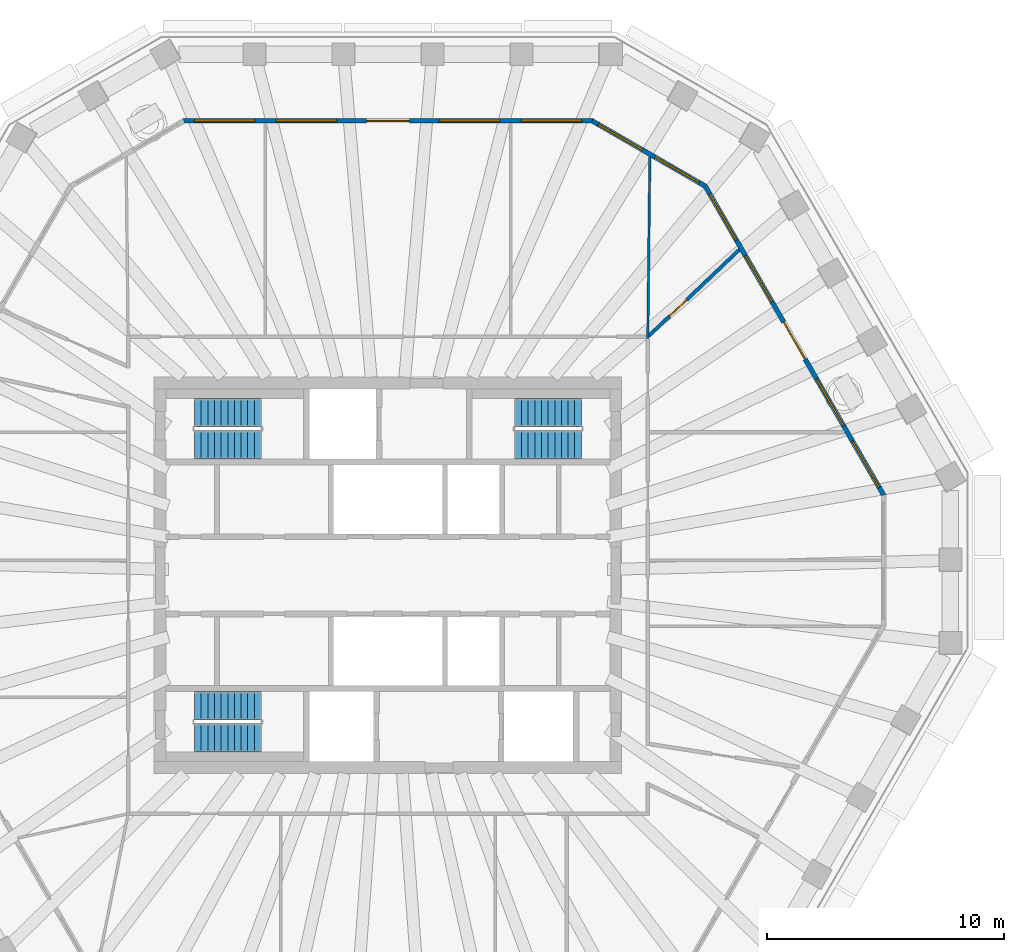
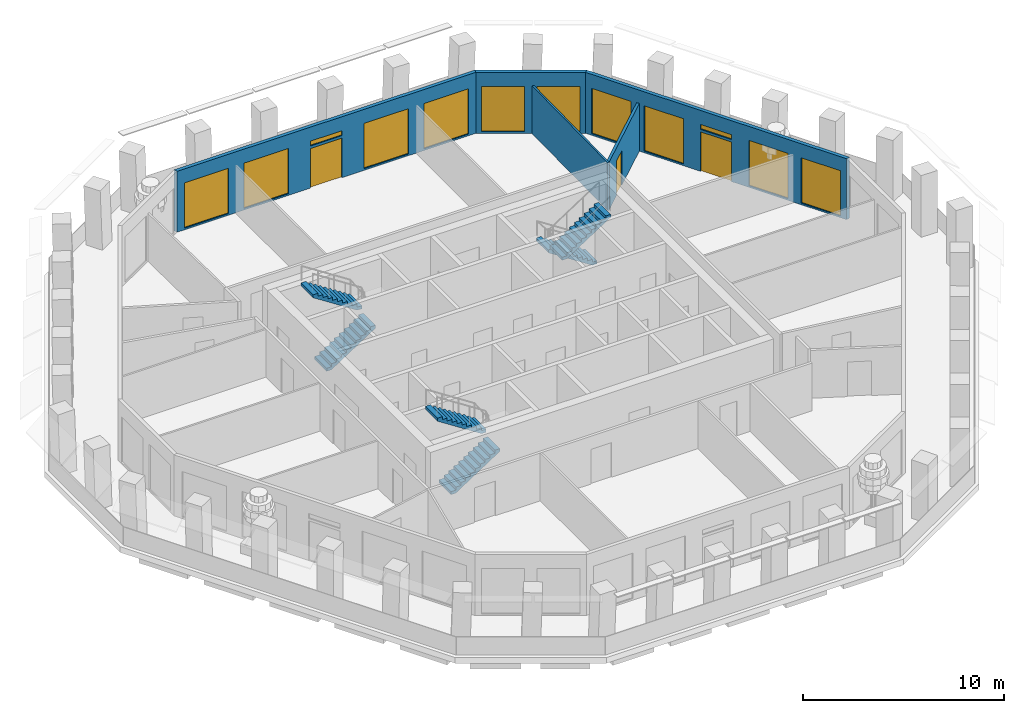
# One storey, part 7 of 11: 12 windows, 6 stair flights, 5 walls, 3 doors, 15 openings, 3 elements without a shape of their own.
"""IFC4 building model written with IfcOpenShell, lengths in metres."""

from ifc_helpers import new_model, si_unit, direction, frame, frame_2d, origin, place, context, subcontext, project, spatial, polyline, rectangle, outline, extrude, material, layer, layer_set, type_object, element, fill, aggregate, save


model = new_model("IFC4")

# Units and contexts
model_context = context("Model", 3, precision=1e-05, world=origin(), true_north=direction((0.0, 1.0)))
body_context = subcontext(model_context, "Body", "Model", "MODEL_VIEW")
ifc_project = project(units=[si_unit("LENGTHUNIT", "METRE"), si_unit("AREAUNIT", "SQUARE_METRE"), si_unit("VOLUMEUNIT", "CUBIC_METRE"), si_unit("PLANEANGLEUNIT", "RADIAN"), si_unit("MASSUNIT", "GRAM", prefix="KILO")], contexts=[model_context])

# Site, building, storey
site_placement = place(None, origin())
site = spatial("IfcSite", under=ifc_project, at=site_placement, CompositionType="ELEMENT")
building_placement = place(site_placement, origin())
building = spatial("IfcBuilding", under=site, at=building_placement, Name="Frailejon Research Tower", CompositionType="ELEMENT")
storey_placement = place(building_placement, frame((0.0, 0.0, 283.0)))
storey = spatial("IfcBuildingStorey", under=building, at=storey_placement, Name="L62", CompositionType="ELEMENT", Elevation=283.0)

# Wall, opening, door
ifc_material_1 = material(Name="Gypsum board and masonry partition", Category="masonry")
ifc_layer_1 = layer(ifc_material_1, 0.14990234375)
ifc_layer_set_1 = layer_set([ifc_layer_1], Name="Laboratory partition, blockwork 150")
wall_type_1 = type_object("IfcWallType", Name="Laboratory partition, blockwork 150", PredefinedType="PARTITIONING", material=ifc_layer_set_1)
wall_1_placement = place(storey_placement, frame((10.986083984375, 10.08447265625, 0.0), z_axis=(0.0, 0.0, 1.0), x_axis=(0.724448574535, 0.689328849573, 0.0)))
wall_1 = element("IfcWall", 1, at=wall_1_placement, inside=storey, type_object=wall_type_1, Name="T:IW:L62:012", PredefinedType="PARTITIONING", context=body_context, shape_type="SweptSolid", body=[
    extrude(rectangle(XDim=5.269287109375, YDim=0.14990234375, at=frame_2d((2.634765625, 0.0))), origin(), (0.0, 0.0, 1.0), 2.89990234375),
])
opening_1_placement = place(wall_1_placement, frame((1.204833984375, 0.0, 0.0)))
opening_1 = element("IfcOpeningElement", 2, at=opening_1_placement, cuts=wall_1, Name="Opening D2189", PredefinedType="OPENING", context=body_context, shape_type="SweptSolid", body=[
    extrude(rectangle(XDim=1.0, YDim=2.10009765625, at=frame_2d((0.5, 1.050048828125))), frame((0.0, 0.0849609375, 0.0), z_axis=(0.0, -1.0, 0.0), x_axis=(1.0, 0.0, 0.0)), (0.0, 0.0, 1.0), 0.169921875),
])
ifc_material_2 = material(Name="Timber door leaf", Category="wood")
door_type_1 = type_object("IfcDoorType", Name="Door single leaf, timber, steel frame 1000", OperationType="NOTDEFINED", PredefinedType="DOOR", material=ifc_material_2)
door_1_placement = place(opening_1_placement, origin())
door_1 = element("IfcDoor", 3, at=door_1_placement, inside=storey, type_object=door_type_1, Name="D2189", OperationType="SINGLE_SWING_RIGHT", OverallHeight=2.10009765625, OverallWidth=1.0, PredefinedType="DOOR", context=body_context, shape_type="SweptSolid", body=[
    extrude(rectangle(XDim=1.0, YDim=2.10009765625, at=frame_2d((0.5, 1.050048828125))), frame((0.0, 0.02490234375, 0.0), z_axis=(0.0, -1.0, 0.0), x_axis=(1.0, 0.0, 0.0)), (0.0, 0.0, 1.0), 0.050048828125),
])
fill(opening_1, door_1)

# Wall
ifc_material_3 = material(Name="Gypsum board and masonry partition", Category="masonry")
ifc_layer_2 = layer(ifc_material_3, 0.10009765625)
ifc_layer_set_2 = layer_set([ifc_layer_2], Name="Partition, gypsum on steel studs 100")
wall_type_2 = type_object("IfcWallType", Name="Partition, gypsum on steel studs 100", PredefinedType="PARTITIONING", material=ifc_layer_set_2)
wall_2_placement = place(storey_placement, frame((10.94921875, 9.97509765625, 0.0), z_axis=(0.0, 0.0, 1.0), x_axis=(0.011223782781, 0.999937011366, 0.0)))
element("IfcWall", 4, at=wall_2_placement, inside=storey, type_object=wall_type_2, Name="T:IW:L62:016", PredefinedType="PARTITIONING", context=body_context, shape_type="SweptSolid", body=[
    extrude(rectangle(XDim=7.65673828125, YDim=0.10009765625, at=frame_2d((3.828369140625, 0.0))), origin(), (0.0, 0.0, 1.0), 2.89990234375),
])

# Wall, openings, door, windows
ifc_material_4 = material(Name="Concrete C40/50 precast window wall panel", Category="concrete")
ifc_layer_3 = layer(ifc_material_4, 0.199951171875)
ifc_layer_set_3 = layer_set([ifc_layer_3], Name="Window wall 200")
wall_type_3 = type_object("IfcWallType", Name="Window wall 200", PredefinedType="SOLIDWALL", material=ifc_layer_set_3)
wall_3_placement = place(storey_placement, frame((20.88671875, 3.380126953125, 0.0), z_axis=(0.0, 0.0, 1.0), x_axis=(-0.50000644309, 0.866021683832, 0.0)))
wall_3 = element("IfcWall", 5, at=wall_3_placement, inside=storey, type_object=wall_type_3, Name="Exterior wall L62", PredefinedType="SOLIDWALL", context=body_context, shape_type="SweptSolid", body=[
    extrude(outline(polyline([(-0.02685546875, -0.10009765625), (0.978759765625, -0.10009765625), (1.984619140625, -0.10009765625), (2.990234375, -0.10009765625), (3.99609375, -0.10009765625), (5.001708984375, -0.10009765625), (6.00732421875, -0.10009765625), (7.01318359375, -0.10009765625), (8.018798828125, -0.10009765625), (9.024658203125, -0.10009765625), (10.0302734375, -0.10009765625), (11.035888671875, -0.10009765625), (12.041748046875, -0.10009765625), (13.04736328125, -0.10009765625), (14.05322265625, -0.10009765625), (15.058837890625, -0.10009765625), (15.005126953125, 0.10009765625), (14.006591796875, 0.10009765625), (13.008056640625, 0.10009765625), (12.009521484375, 0.10009765625), (11.010986328125, 0.10009765625), (10.012451171875, 0.10009765625), (9.013916015625, 0.10009765625), (8.015380859375, 0.10009765625), (7.0166015625, 0.10009765625), (6.01806640625, 0.10009765625), (5.01953125, 0.10009765625), (4.02099609375, 0.10009765625), (3.0224609375, 0.10009765625), (2.02392578125, 0.10009765625), (1.025390625, 0.10009765625), (0.02685546875, 0.10009765625), (-0.02685546875, -0.10009765625)])), origin(), (0.0, 0.0, 1.0), 3.699951171875),
])
opening_2_placement = place(wall_3_placement, frame((0.378173828125, 0.0, 0.10009765625)))
opening_2 = element("IfcOpeningElement", 6, at=opening_2_placement, cuts=wall_3, Name="Opening W23", PredefinedType="OPENING", context=body_context, shape_type="SweptSolid", body=[
    extrude(rectangle(XDim=2.25, YDim=2.75, at=frame_2d((1.125, 1.375))), frame((0.0, 0.10986328125, 0.0), z_axis=(0.0, -1.0, 0.0), x_axis=(1.0, 0.0, 0.0)), (0.0, 0.0, 1.0), 0.219970703125),
])
opening_3_placement = place(wall_3_placement, frame((3.384521484375, 0.0, 0.10009765625)))
opening_3 = element("IfcOpeningElement", 7, at=opening_3_placement, cuts=wall_3, Name="Opening W23", PredefinedType="OPENING", context=body_context, shape_type="SweptSolid", body=[
    extrude(rectangle(XDim=2.25, YDim=2.75, at=frame_2d((1.125, 1.375))), frame((0.0, 0.10986328125, 0.0), z_axis=(0.0, -1.0, 0.0), x_axis=(1.0, 0.0, 0.0)), (0.0, 0.0, 1.0), 0.219970703125),
])
opening_4_placement = place(wall_3_placement, frame((6.615966796875, 0.0, 0.0)))
opening_4 = element("IfcOpeningElement", 8, at=opening_4_placement, cuts=wall_3, Name="Opening LG62-1", PredefinedType="OPENING", context=body_context, shape_type="SweptSolid", body=[
    extrude(rectangle(XDim=1.800048828125, YDim=2.39990234375, at=frame_2d((0.89990234375, 1.199951171875))), frame((0.0, 0.10986328125, 0.0), z_axis=(0.0, -1.0, 0.0), x_axis=(1.0, 0.0, 0.0)), (0.0, 0.0, 1.0), 0.219970703125),
])
opening_5_placement = place(wall_3_placement, frame((6.615966796875, 0.0, 2.550048828125)))
opening_5 = element("IfcOpeningElement", 9, at=opening_5_placement, cuts=wall_3, Name="Opening W24", PredefinedType="OPENING", context=body_context, shape_type="SweptSolid", body=[
    extrude(rectangle(XDim=1.800048828125, YDim=0.300048828125, at=frame_2d((0.89990234375, 0.14990234375))), frame((0.0, 0.10986328125, 0.0), z_axis=(0.0, -1.0, 0.0), x_axis=(1.0, 0.0, 0.0)), (0.0, 0.0, 1.0), 0.219970703125),
])
opening_6_placement = place(wall_3_placement, frame((9.3974609375, 0.0, 0.10009765625)))
opening_6 = element("IfcOpeningElement", 10, at=opening_6_placement, cuts=wall_3, Name="Opening W23", PredefinedType="OPENING", context=body_context, shape_type="SweptSolid", body=[
    extrude(rectangle(XDim=2.25, YDim=2.75, at=frame_2d((1.125, 1.375))), frame((0.0, 0.10986328125, 0.0), z_axis=(0.0, -1.0, 0.0), x_axis=(1.0, 0.0, 0.0)), (0.0, 0.0, 1.0), 0.219970703125),
])
opening_7_placement = place(wall_3_placement, frame((12.40380859375, 0.0, 0.10009765625)))
opening_7 = element("IfcOpeningElement", 11, at=opening_7_placement, cuts=wall_3, Name="Opening W23", PredefinedType="OPENING", context=body_context, shape_type="SweptSolid", body=[
    extrude(rectangle(XDim=2.25, YDim=2.75, at=frame_2d((1.125, 1.375))), frame((0.0, 0.10986328125, 0.0), z_axis=(0.0, -1.0, 0.0), x_axis=(1.0, 0.0, 0.0)), (0.0, 0.0, 1.0), 0.219970703125),
])
ifc_material_5 = material(Name="Aluminium framed glazed door leaf", Category="aluminium")
door_type_2 = type_object("IfcDoorType", Name="Loggia door 1800x2400", OperationType="DOUBLE_DOOR_SINGLE_SWING", PredefinedType="DOOR", material=ifc_material_5)
door_2_placement = place(opening_4_placement, origin())
door_2 = element("IfcDoor", 12, at=door_2_placement, inside=storey, type_object=door_type_2, Name="Door LG62-1", OperationType="DOUBLE_DOOR_SINGLE_SWING", OverallHeight=2.39990234375, OverallWidth=1.800048828125, PredefinedType="DOOR", context=body_context, shape_type="SweptSolid", body=[
    extrude(rectangle(XDim=1.800048828125, YDim=2.39990234375, at=frame_2d((0.89990234375, 1.199951171875))), frame((0.0, 0.02490234375, 0.0), z_axis=(0.0, -1.0, 0.0), x_axis=(1.0, 0.0, 0.0)), (0.0, 0.0, 1.0), 0.050048828125),
])
fill(opening_4, door_2)
ifc_material_6 = material(Name="Aluminium framed double glazing", Category="aluminium")
window_type_1 = type_object("IfcWindowType", Name="Window 1800x300", PartitioningType="SINGLE_PANEL", PredefinedType="WINDOW", material=ifc_material_6)
window_1_placement = place(opening_5_placement, origin())
window_1 = element("IfcWindow", 13, at=window_1_placement, inside=storey, type_object=window_type_1, Name="Window L62", OverallHeight=0.300048828125, OverallWidth=1.800048828125, PartitioningType="SINGLE_PANEL", PredefinedType="WINDOW", context=body_context, shape_type="SweptSolid", body=[
    extrude(rectangle(XDim=1.800048828125, YDim=0.300048828125, at=frame_2d((0.89990234375, 0.14990234375))), frame((0.0, 0.030029296875, 0.0), z_axis=(0.0, -1.0, 0.0), x_axis=(1.0, 0.0, 0.0)), (0.0, 0.0, 1.0), 0.06005859375),
])
fill(opening_5, window_1)
ifc_material_7 = material(Name="Aluminium framed double glazing", Category="aluminium")
window_type_2 = type_object("IfcWindowType", Name="Window 2250x2750", PartitioningType="SINGLE_PANEL", PredefinedType="WINDOW", material=ifc_material_7)
window_2_placement = place(opening_2_placement, origin())
window_2 = element("IfcWindow", 14, at=window_2_placement, inside=storey, type_object=window_type_2, Name="Window L62", OverallHeight=2.75, OverallWidth=2.25, PartitioningType="SINGLE_PANEL", PredefinedType="WINDOW", context=body_context, shape_type="SweptSolid", body=[
    extrude(rectangle(XDim=2.25, YDim=2.75, at=frame_2d((1.125, 1.375))), frame((0.0, 0.030029296875, 0.0), z_axis=(0.0, -1.0, 0.0), x_axis=(1.0, 0.0, 0.0)), (0.0, 0.0, 1.0), 0.06005859375),
])
fill(opening_2, window_2)
window_3_placement = place(opening_3_placement, origin())
window_3 = element("IfcWindow", 15, at=window_3_placement, inside=storey, type_object=window_type_2, Name="Window L62", OverallHeight=2.75, OverallWidth=2.25, PartitioningType="SINGLE_PANEL", PredefinedType="WINDOW", context=body_context, shape_type="SweptSolid", body=[
    extrude(rectangle(XDim=2.25, YDim=2.75, at=frame_2d((1.125, 1.375))), frame((0.0, 0.030029296875, 0.0), z_axis=(0.0, -1.0, 0.0), x_axis=(1.0, 0.0, 0.0)), (0.0, 0.0, 1.0), 0.06005859375),
])
fill(opening_3, window_3)
window_4_placement = place(opening_6_placement, origin())
window_4 = element("IfcWindow", 16, at=window_4_placement, inside=storey, type_object=window_type_2, Name="Window L62", OverallHeight=2.75, OverallWidth=2.25, PartitioningType="SINGLE_PANEL", PredefinedType="WINDOW", context=body_context, shape_type="SweptSolid", body=[
    extrude(rectangle(XDim=2.25, YDim=2.75, at=frame_2d((1.125, 1.375))), frame((0.0, 0.030029296875, 0.0), z_axis=(0.0, -1.0, 0.0), x_axis=(1.0, 0.0, 0.0)), (0.0, 0.0, 1.0), 0.06005859375),
])
fill(opening_6, window_4)
window_5_placement = place(opening_7_placement, origin())
window_5 = element("IfcWindow", 17, at=window_5_placement, inside=storey, type_object=window_type_2, Name="Window L62", OverallHeight=2.75, OverallWidth=2.25, PartitioningType="SINGLE_PANEL", PredefinedType="WINDOW", context=body_context, shape_type="SweptSolid", body=[
    extrude(rectangle(XDim=2.25, YDim=2.75, at=frame_2d((1.125, 1.375))), frame((0.0, 0.030029296875, 0.0), z_axis=(0.0, -1.0, 0.0), x_axis=(1.0, 0.0, 0.0)), (0.0, 0.0, 1.0), 0.06005859375),
])
fill(opening_7, window_5)

# Wall, openings, windows
wall_4_placement = place(storey_placement, frame((13.37060546875, 16.398193359375, 0.0), z_axis=(0.0, 0.0, 1.0), x_axis=(-0.866026017613, 0.499998936816, 0.0)))
wall_4 = element("IfcWall", 18, at=wall_4_placement, inside=storey, type_object=wall_type_3, Name="Exterior wall L62", PredefinedType="SOLIDWALL", context=body_context, shape_type="SweptSolid", body=[
    extrude(outline(polyline([(-0.02685546875, -0.10009765625), (1.08447265625, -0.10009765625), (2.196044921875, -0.10009765625), (3.307373046875, -0.10009765625), (4.4189453125, -0.10009765625), (5.5302734375, -0.10009765625), (5.4765625, 0.10009765625), (4.38671875, 0.10009765625), (3.296630859375, 0.10009765625), (2.206787109375, 0.10009765625), (1.11669921875, 0.10009765625), (0.02685546875, 0.10009765625), (-0.02685546875, -0.10009765625)])), origin(), (0.0, 0.0, 1.0), 3.699951171875),
])
opening_8_placement = place(wall_4_placement, frame((0.30078125, 0.0, 0.10009765625)))
opening_8 = element("IfcOpeningElement", 19, at=opening_8_placement, cuts=wall_4, Name="Opening W22", PredefinedType="OPENING", context=body_context, shape_type="SweptSolid", body=[
    extrude(rectangle(XDim=2.14990234375, YDim=2.75, at=frame_2d((1.074951171875, 1.375))), frame((0.0, 0.10986328125, 0.0), z_axis=(0.0, -1.0, 0.0), x_axis=(1.0, 0.0, 0.0)), (0.0, 0.0, 1.0), 0.219970703125),
])
opening_9_placement = place(wall_4_placement, frame((3.052490234375, 0.0, 0.10009765625)))
opening_9 = element("IfcOpeningElement", 20, at=opening_9_placement, cuts=wall_4, Name="Opening W22", PredefinedType="OPENING", context=body_context, shape_type="SweptSolid", body=[
    extrude(rectangle(XDim=2.14990234375, YDim=2.75, at=frame_2d((1.074951171875, 1.375))), frame((0.0, 0.10986328125, 0.0), z_axis=(0.0, -1.0, 0.0), x_axis=(1.0, 0.0, 0.0)), (0.0, 0.0, 1.0), 0.219970703125),
])
ifc_material_8 = material(Name="Aluminium framed double glazing", Category="aluminium")
window_type_3 = type_object("IfcWindowType", Name="Window 2150x2750", PartitioningType="SINGLE_PANEL", PredefinedType="WINDOW", material=ifc_material_8)
window_6_placement = place(opening_8_placement, origin())
window_6 = element("IfcWindow", 21, at=window_6_placement, inside=storey, type_object=window_type_3, Name="Window L62", OverallHeight=2.75, OverallWidth=2.14990234375, PartitioningType="SINGLE_PANEL", PredefinedType="WINDOW", context=body_context, shape_type="SweptSolid", body=[
    extrude(rectangle(XDim=2.14990234375, YDim=2.75, at=frame_2d((1.074951171875, 1.375))), frame((0.0, 0.030029296875, 0.0), z_axis=(0.0, -1.0, 0.0), x_axis=(1.0, 0.0, 0.0)), (0.0, 0.0, 1.0), 0.06005859375),
])
fill(opening_8, window_6)
window_7_placement = place(opening_9_placement, origin())
window_7 = element("IfcWindow", 22, at=window_7_placement, inside=storey, type_object=window_type_3, Name="Window L62", OverallHeight=2.75, OverallWidth=2.14990234375, PartitioningType="SINGLE_PANEL", PredefinedType="WINDOW", context=body_context, shape_type="SweptSolid", body=[
    extrude(rectangle(XDim=2.14990234375, YDim=2.75, at=frame_2d((1.074951171875, 1.375))), frame((0.0, 0.030029296875, 0.0), z_axis=(0.0, -1.0, 0.0), x_axis=(1.0, 0.0, 0.0)), (0.0, 0.0, 1.0), 0.06005859375),
])
fill(opening_9, window_7)

# Wall, openings, door, windows
wall_5_placement = place(storey_placement, frame((8.6044921875, 19.14990234375, 0.0), z_axis=(0.0, 0.0, 1.0), x_axis=(-1.0, 0.0, 0.0)))
wall_5 = element("IfcWall", 23, at=wall_5_placement, inside=storey, type_object=wall_type_3, Name="Exterior wall L62", PredefinedType="SOLIDWALL", context=body_context, shape_type="SweptSolid", body=[
    extrude(outline(polyline([(-0.02685546875, -0.10009765625), (0.988525390625, -0.10009765625), (2.004150390625, -0.10009765625), (3.01953125, -0.10009765625), (4.034912109375, -0.10009765625), (5.05029296875, -0.10009765625), (6.06591796875, -0.10009765625), (7.081298828125, -0.10009765625), (8.0966796875, -0.10009765625), (9.1123046875, -0.10009765625), (10.127685546875, -0.10009765625), (11.14306640625, -0.10009765625), (12.15869140625, -0.10009765625), (13.174072265625, -0.10009765625), (14.189453125, -0.10009765625), (15.204833984375, -0.10009765625), (16.220458984375, -0.10009765625), (17.23583984375, -0.10009765625), (17.18212890625, 0.10009765625), (16.173095703125, 0.10009765625), (15.163818359375, 0.10009765625), (14.15478515625, 0.10009765625), (13.1455078125, 0.10009765625), (12.136474609375, 0.10009765625), (11.12744140625, 0.10009765625), (10.1181640625, 0.10009765625), (9.109130859375, 0.10009765625), (8.099853515625, 0.10009765625), (7.0908203125, 0.10009765625), (6.08154296875, 0.10009765625), (5.072509765625, 0.10009765625), (4.0634765625, 0.10009765625), (3.05419921875, 0.10009765625), (2.045166015625, 0.10009765625), (1.035888671875, 0.10009765625), (0.02685546875, 0.10009765625), (-0.02685546875, -0.10009765625)])), origin(), (0.0, 0.0, 1.0), 3.699951171875),
])
opening_10_placement = place(wall_5_placement, frame((0.44580078125, 0.0, 0.10009765625)))
opening_10 = element("IfcOpeningElement", 24, at=opening_10_placement, cuts=wall_5, Name="Opening W25", PredefinedType="OPENING", context=body_context, shape_type="SweptSolid", body=[
    extrude(rectangle(XDim=2.550048828125, YDim=2.75, at=frame_2d((1.27490234375, 1.375))), frame((0.0, 0.10986328125, 0.0), z_axis=(0.0, -1.0, 0.0), x_axis=(1.0, 0.0, 0.0)), (0.0, 0.0, 1.0), 0.219970703125),
])
opening_11_placement = place(wall_5_placement, frame((3.8876953125, 0.0, 0.10009765625)))
opening_11 = element("IfcOpeningElement", 25, at=opening_11_placement, cuts=wall_5, Name="Opening W25", PredefinedType="OPENING", context=body_context, shape_type="SweptSolid", body=[
    extrude(rectangle(XDim=2.550048828125, YDim=2.75, at=frame_2d((1.27490234375, 1.375))), frame((0.0, 0.10986328125, 0.0), z_axis=(0.0, -1.0, 0.0), x_axis=(1.0, 0.0, 0.0)), (0.0, 0.0, 1.0), 0.219970703125),
])
opening_12_placement = place(wall_5_placement, frame((7.70458984375, 0.0, 0.0)))
opening_12 = element("IfcOpeningElement", 26, at=opening_12_placement, cuts=wall_5, Name="Opening LG62-2", PredefinedType="OPENING", context=body_context, shape_type="SweptSolid", body=[
    extrude(rectangle(XDim=1.800048828125, YDim=2.39990234375, at=frame_2d((0.89990234375, 1.199951171875))), frame((0.0, 0.10986328125, 0.0), z_axis=(0.0, -1.0, 0.0), x_axis=(1.0, 0.0, 0.0)), (0.0, 0.0, 1.0), 0.219970703125),
])
opening_13_placement = place(wall_5_placement, frame((7.70458984375, 0.0, 2.550048828125)))
opening_13 = element("IfcOpeningElement", 27, at=opening_13_placement, cuts=wall_5, Name="Opening W24", PredefinedType="OPENING", context=body_context, shape_type="SweptSolid", body=[
    extrude(rectangle(XDim=1.800048828125, YDim=0.300048828125, at=frame_2d((0.89990234375, 0.14990234375))), frame((0.0, 0.10986328125, 0.0), z_axis=(0.0, -1.0, 0.0), x_axis=(1.0, 0.0, 0.0)), (0.0, 0.0, 1.0), 0.219970703125),
])
opening_14_placement = place(wall_5_placement, frame((10.771484375, 0.0, 0.10009765625)))
opening_14 = element("IfcOpeningElement", 28, at=opening_14_placement, cuts=wall_5, Name="Opening W25", PredefinedType="OPENING", context=body_context, shape_type="SweptSolid", body=[
    extrude(rectangle(XDim=2.550048828125, YDim=2.75, at=frame_2d((1.27490234375, 1.375))), frame((0.0, 0.10986328125, 0.0), z_axis=(0.0, -1.0, 0.0), x_axis=(1.0, 0.0, 0.0)), (0.0, 0.0, 1.0), 0.219970703125),
])
opening_15_placement = place(wall_5_placement, frame((14.21337890625, 0.0, 0.10009765625)))
opening_15 = element("IfcOpeningElement", 29, at=opening_15_placement, cuts=wall_5, Name="Opening W25", PredefinedType="OPENING", context=body_context, shape_type="SweptSolid", body=[
    extrude(rectangle(XDim=2.550048828125, YDim=2.75, at=frame_2d((1.27490234375, 1.375))), frame((0.0, 0.10986328125, 0.0), z_axis=(0.0, -1.0, 0.0), x_axis=(1.0, 0.0, 0.0)), (0.0, 0.0, 1.0), 0.219970703125),
])
door_3_placement = place(opening_12_placement, origin())
door_3 = element("IfcDoor", 30, at=door_3_placement, inside=storey, type_object=door_type_2, Name="Door LG62-2", OperationType="DOUBLE_DOOR_SINGLE_SWING", OverallHeight=2.39990234375, OverallWidth=1.800048828125, PredefinedType="DOOR", context=body_context, shape_type="SweptSolid", body=[
    extrude(rectangle(XDim=1.800048828125, YDim=2.39990234375, at=frame_2d((0.89990234375, 1.199951171875))), frame((0.0, 0.02490234375, 0.0), z_axis=(0.0, -1.0, 0.0), x_axis=(1.0, 0.0, 0.0)), (0.0, 0.0, 1.0), 0.050048828125),
])
fill(opening_12, door_3)
window_8_placement = place(opening_13_placement, origin())
window_8 = element("IfcWindow", 31, at=window_8_placement, inside=storey, type_object=window_type_1, Name="Window L62", OverallHeight=0.300048828125, OverallWidth=1.800048828125, PartitioningType="SINGLE_PANEL", PredefinedType="WINDOW", context=body_context, shape_type="SweptSolid", body=[
    extrude(rectangle(XDim=1.800048828125, YDim=0.300048828125, at=frame_2d((0.89990234375, 0.14990234375))), frame((0.0, 0.030029296875, 0.0), z_axis=(0.0, -1.0, 0.0), x_axis=(1.0, 0.0, 0.0)), (0.0, 0.0, 1.0), 0.06005859375),
])
fill(opening_13, window_8)
ifc_material_9 = material(Name="Aluminium framed double glazing", Category="aluminium")
window_type_4 = type_object("IfcWindowType", Name="Window 2550x2750", PartitioningType="SINGLE_PANEL", PredefinedType="WINDOW", material=ifc_material_9)
window_9_placement = place(opening_10_placement, origin())
window_9 = element("IfcWindow", 32, at=window_9_placement, inside=storey, type_object=window_type_4, Name="Window L62", OverallHeight=2.75, OverallWidth=2.550048828125, PartitioningType="SINGLE_PANEL", PredefinedType="WINDOW", context=body_context, shape_type="SweptSolid", body=[
    extrude(rectangle(XDim=2.550048828125, YDim=2.75, at=frame_2d((1.27490234375, 1.375))), frame((0.0, 0.030029296875, 0.0), z_axis=(0.0, -1.0, 0.0), x_axis=(1.0, 0.0, 0.0)), (0.0, 0.0, 1.0), 0.06005859375),
])
fill(opening_10, window_9)
window_10_placement = place(opening_11_placement, origin())
window_10 = element("IfcWindow", 33, at=window_10_placement, inside=storey, type_object=window_type_4, Name="Window L62", OverallHeight=2.75, OverallWidth=2.550048828125, PartitioningType="SINGLE_PANEL", PredefinedType="WINDOW", context=body_context, shape_type="SweptSolid", body=[
    extrude(rectangle(XDim=2.550048828125, YDim=2.75, at=frame_2d((1.27490234375, 1.375))), frame((0.0, 0.030029296875, 0.0), z_axis=(0.0, -1.0, 0.0), x_axis=(1.0, 0.0, 0.0)), (0.0, 0.0, 1.0), 0.06005859375),
])
fill(opening_11, window_10)
window_11_placement = place(opening_14_placement, origin())
window_11 = element("IfcWindow", 34, at=window_11_placement, inside=storey, type_object=window_type_4, Name="Window L62", OverallHeight=2.75, OverallWidth=2.550048828125, PartitioningType="SINGLE_PANEL", PredefinedType="WINDOW", context=body_context, shape_type="SweptSolid", body=[
    extrude(rectangle(XDim=2.550048828125, YDim=2.75, at=frame_2d((1.27490234375, 1.375))), frame((0.0, 0.030029296875, 0.0), z_axis=(0.0, -1.0, 0.0), x_axis=(1.0, 0.0, 0.0)), (0.0, 0.0, 1.0), 0.06005859375),
])
fill(opening_14, window_11)
window_12_placement = place(opening_15_placement, origin())
window_12 = element("IfcWindow", 35, at=window_12_placement, inside=storey, type_object=window_type_4, Name="Window L62", OverallHeight=2.75, OverallWidth=2.550048828125, PartitioningType="SINGLE_PANEL", PredefinedType="WINDOW", context=body_context, shape_type="SweptSolid", body=[
    extrude(rectangle(XDim=2.550048828125, YDim=2.75, at=frame_2d((1.27490234375, 1.375))), frame((0.0, 0.030029296875, 0.0), z_axis=(0.0, -1.0, 0.0), x_axis=(1.0, 0.0, 0.0)), (0.0, 0.0, 1.0), 0.06005859375),
])
fill(opening_15, window_12)

# Stair, stair flights
ifc_material_10 = material(Name="Concrete C50/60", Category="concrete")
stair_type = type_object("IfcStairType", Name="Exit stair 22 risers", PredefinedType="HALF_TURN_STAIR", material=ifc_material_10)
stair_1_placement = place(storey_placement, origin())
stair_1 = element("IfcStair", 36, at=stair_1_placement, inside=storey, type_object=stair_type, Name="L62 Exit stair ST1", PredefinedType="HALF_TURN_STAIR")
ifc_material_11 = material(Name="Concrete C50/60", Category="concrete")
ifc_layer_4 = layer(ifc_material_11, 0.14990234375)
ifc_layer_set_4 = layer_set([ifc_layer_4], Name="Stair flight 11 risers")
stair_flight_type = type_object("IfcStairFlightType", Name="Stair flight 11 risers", PredefinedType="STRAIGHT", material=ifc_layer_set_4)
stair_flight_1_placement = place(storey_placement, frame((-8.14990234375, 5.5, 0.0), z_axis=(0.0, 0.0, 1.0), x_axis=(1.0, 0.0, 0.0)))
stair_flight_1 = element("IfcStairFlight", 37, at=stair_flight_1_placement, type_object=stair_flight_type, Name="ST1 flight 1", NumberOfRisers=11, NumberOfTreads=10, PredefinedType="STRAIGHT", RiserHeight=0.181818182, TreadLength=0.28, context=body_context, shape_type="SweptSolid", body=[
    extrude(outline(polyline([(0.0, 0.0), (0.0, 0.181884765625), (0.280029296875, 0.181884765625), (0.280029296875, 0.363525390625), (0.56005859375, 0.363525390625), (0.56005859375, 0.54541015625), (0.840087890625, 0.54541015625), (0.840087890625, 0.727294921875), (1.1201171875, 0.727294921875), (1.1201171875, 0.9091796875), (1.39990234375, 0.9091796875), (1.39990234375, 1.0908203125), (1.679931640625, 1.0908203125), (1.679931640625, 1.272705078125), (1.9599609375, 1.272705078125), (1.9599609375, 1.45458984375), (2.239990234375, 1.45458984375), (2.239990234375, 1.636474609375), (2.52001953125, 1.636474609375), (2.52001953125, 1.818115234375), (2.800048828125, 1.818115234375), (2.800048828125, 2.0), (2.800048828125, 1.639404296875), (0.275146484375, 0.0), (0.0, 0.0)])), frame((0.0, 0.60009765625, 0.0), z_axis=(0.0, -1.0, 0.0), x_axis=(1.0, 0.0, 0.0)), (0.0, 0.0, 1.0), 1.199951171875),
])
stair_flight_2_placement = place(storey_placement, frame((-5.35009765625, 6.85009765625, 2.0), z_axis=(0.0, 0.0, 1.0), x_axis=(-1.0, 0.0, 0.0)))
stair_flight_2 = element("IfcStairFlight", 38, at=stair_flight_2_placement, type_object=stair_flight_type, Name="ST1 flight 2", NumberOfRisers=11, NumberOfTreads=10, PredefinedType="STRAIGHT", RiserHeight=0.181818182, TreadLength=0.28, context=body_context, shape_type="SweptSolid", body=[
    extrude(outline(polyline([(0.0, 0.0), (0.0, 0.181884765625), (0.280029296875, 0.181884765625), (0.280029296875, 0.363525390625), (0.56005859375, 0.363525390625), (0.56005859375, 0.54541015625), (0.840087890625, 0.54541015625), (0.840087890625, 0.727294921875), (1.1201171875, 0.727294921875), (1.1201171875, 0.9091796875), (1.39990234375, 0.9091796875), (1.39990234375, 1.0908203125), (1.679931640625, 1.0908203125), (1.679931640625, 1.272705078125), (1.9599609375, 1.272705078125), (1.9599609375, 1.45458984375), (2.239990234375, 1.45458984375), (2.239990234375, 1.636474609375), (2.52001953125, 1.636474609375), (2.52001953125, 1.818115234375), (2.800048828125, 1.818115234375), (2.800048828125, 2.0), (2.800048828125, 1.639404296875), (0.275146484375, 0.0), (0.0, 0.0)])), frame((0.0, 0.60009765625, 0.0), z_axis=(0.0, -1.0, 0.0), x_axis=(1.0, 0.0, 0.0)), (0.0, 0.0, 1.0), 1.199951171875),
])
aggregate(stair_1, [stair_flight_1, stair_flight_2])

stair_2_placement = place(storey_placement, origin())
stair_2 = element("IfcStair", 39, at=stair_2_placement, inside=storey, type_object=stair_type, Name="L62 Exit stair ST2", PredefinedType="HALF_TURN_STAIR")
stair_flight_3_placement = place(storey_placement, frame((-8.14990234375, -6.85009765625, 0.0), z_axis=(0.0, 0.0, 1.0), x_axis=(1.0, 0.0, 0.0)))
stair_flight_3 = element("IfcStairFlight", 40, at=stair_flight_3_placement, type_object=stair_flight_type, Name="ST2 flight 1", NumberOfRisers=11, NumberOfTreads=10, PredefinedType="STRAIGHT", RiserHeight=0.181818182, TreadLength=0.28, context=body_context, shape_type="SweptSolid", body=[
    extrude(outline(polyline([(0.0, 0.0), (0.0, 0.181884765625), (0.280029296875, 0.181884765625), (0.280029296875, 0.363525390625), (0.56005859375, 0.363525390625), (0.56005859375, 0.54541015625), (0.840087890625, 0.54541015625), (0.840087890625, 0.727294921875), (1.1201171875, 0.727294921875), (1.1201171875, 0.9091796875), (1.39990234375, 0.9091796875), (1.39990234375, 1.0908203125), (1.679931640625, 1.0908203125), (1.679931640625, 1.272705078125), (1.9599609375, 1.272705078125), (1.9599609375, 1.45458984375), (2.239990234375, 1.45458984375), (2.239990234375, 1.636474609375), (2.52001953125, 1.636474609375), (2.52001953125, 1.818115234375), (2.800048828125, 1.818115234375), (2.800048828125, 2.0), (2.800048828125, 1.639404296875), (0.275146484375, 0.0), (0.0, 0.0)])), frame((0.0, 0.60009765625, 0.0), z_axis=(0.0, -1.0, 0.0), x_axis=(1.0, 0.0, 0.0)), (0.0, 0.0, 1.0), 1.199951171875),
])
stair_flight_4_placement = place(storey_placement, frame((-5.35009765625, -5.5, 2.0), z_axis=(0.0, 0.0, 1.0), x_axis=(-1.0, 0.0, 0.0)))
stair_flight_4 = element("IfcStairFlight", 41, at=stair_flight_4_placement, type_object=stair_flight_type, Name="ST2 flight 2", NumberOfRisers=11, NumberOfTreads=10, PredefinedType="STRAIGHT", RiserHeight=0.181818182, TreadLength=0.28, context=body_context, shape_type="SweptSolid", body=[
    extrude(outline(polyline([(0.0, 0.0), (0.0, 0.181884765625), (0.280029296875, 0.181884765625), (0.280029296875, 0.363525390625), (0.56005859375, 0.363525390625), (0.56005859375, 0.54541015625), (0.840087890625, 0.54541015625), (0.840087890625, 0.727294921875), (1.1201171875, 0.727294921875), (1.1201171875, 0.9091796875), (1.39990234375, 0.9091796875), (1.39990234375, 1.0908203125), (1.679931640625, 1.0908203125), (1.679931640625, 1.272705078125), (1.9599609375, 1.272705078125), (1.9599609375, 1.45458984375), (2.239990234375, 1.45458984375), (2.239990234375, 1.636474609375), (2.52001953125, 1.636474609375), (2.52001953125, 1.818115234375), (2.800048828125, 1.818115234375), (2.800048828125, 2.0), (2.800048828125, 1.639404296875), (0.275146484375, 0.0), (0.0, 0.0)])), frame((0.0, 0.60009765625, 0.0), z_axis=(0.0, -1.0, 0.0), x_axis=(1.0, 0.0, 0.0)), (0.0, 0.0, 1.0), 1.199951171875),
])
aggregate(stair_2, [stair_flight_3, stair_flight_4])

stair_3_placement = place(storey_placement, origin())
stair_3 = element("IfcStair", 42, at=stair_3_placement, inside=storey, type_object=stair_type, Name="L62 Exit stair ST3", PredefinedType="HALF_TURN_STAIR")
stair_flight_5_placement = place(storey_placement, frame((8.14990234375, 6.85009765625, 0.0), z_axis=(0.0, 0.0, 1.0), x_axis=(-1.0, 0.0, 0.0)))
stair_flight_5 = element("IfcStairFlight", 43, at=stair_flight_5_placement, type_object=stair_flight_type, Name="ST3 flight 1", NumberOfRisers=11, NumberOfTreads=10, PredefinedType="STRAIGHT", RiserHeight=0.181818182, TreadLength=0.28, context=body_context, shape_type="SweptSolid", body=[
    extrude(outline(polyline([(0.0, 0.0), (0.0, 0.181884765625), (0.280029296875, 0.181884765625), (0.280029296875, 0.363525390625), (0.56005859375, 0.363525390625), (0.56005859375, 0.54541015625), (0.840087890625, 0.54541015625), (0.840087890625, 0.727294921875), (1.1201171875, 0.727294921875), (1.1201171875, 0.9091796875), (1.39990234375, 0.9091796875), (1.39990234375, 1.0908203125), (1.679931640625, 1.0908203125), (1.679931640625, 1.272705078125), (1.9599609375, 1.272705078125), (1.9599609375, 1.45458984375), (2.239990234375, 1.45458984375), (2.239990234375, 1.636474609375), (2.52001953125, 1.636474609375), (2.52001953125, 1.818115234375), (2.800048828125, 1.818115234375), (2.800048828125, 2.0), (2.800048828125, 1.639404296875), (0.275146484375, 0.0), (0.0, 0.0)])), frame((0.0, 0.60009765625, 0.0), z_axis=(0.0, -1.0, 0.0), x_axis=(1.0, 0.0, 0.0)), (0.0, 0.0, 1.0), 1.199951171875),
])
stair_flight_6_placement = place(storey_placement, frame((5.35009765625, 5.5, 2.0), z_axis=(0.0, 0.0, 1.0), x_axis=(1.0, 0.0, 0.0)))
stair_flight_6 = element("IfcStairFlight", 44, at=stair_flight_6_placement, type_object=stair_flight_type, Name="ST3 flight 2", NumberOfRisers=11, NumberOfTreads=10, PredefinedType="STRAIGHT", RiserHeight=0.181818182, TreadLength=0.28, context=body_context, shape_type="SweptSolid", body=[
    extrude(outline(polyline([(0.0, 0.0), (0.0, 0.181884765625), (0.280029296875, 0.181884765625), (0.280029296875, 0.363525390625), (0.56005859375, 0.363525390625), (0.56005859375, 0.54541015625), (0.840087890625, 0.54541015625), (0.840087890625, 0.727294921875), (1.1201171875, 0.727294921875), (1.1201171875, 0.9091796875), (1.39990234375, 0.9091796875), (1.39990234375, 1.0908203125), (1.679931640625, 1.0908203125), (1.679931640625, 1.272705078125), (1.9599609375, 1.272705078125), (1.9599609375, 1.45458984375), (2.239990234375, 1.45458984375), (2.239990234375, 1.636474609375), (2.52001953125, 1.636474609375), (2.52001953125, 1.818115234375), (2.800048828125, 1.818115234375), (2.800048828125, 2.0), (2.800048828125, 1.639404296875), (0.275146484375, 0.0), (0.0, 0.0)])), frame((0.0, 0.60009765625, 0.0), z_axis=(0.0, -1.0, 0.0), x_axis=(1.0, 0.0, 0.0)), (0.0, 0.0, 1.0), 1.199951171875),
])
aggregate(stair_3, [stair_flight_5, stair_flight_6])

save(model, "model.ifc")
